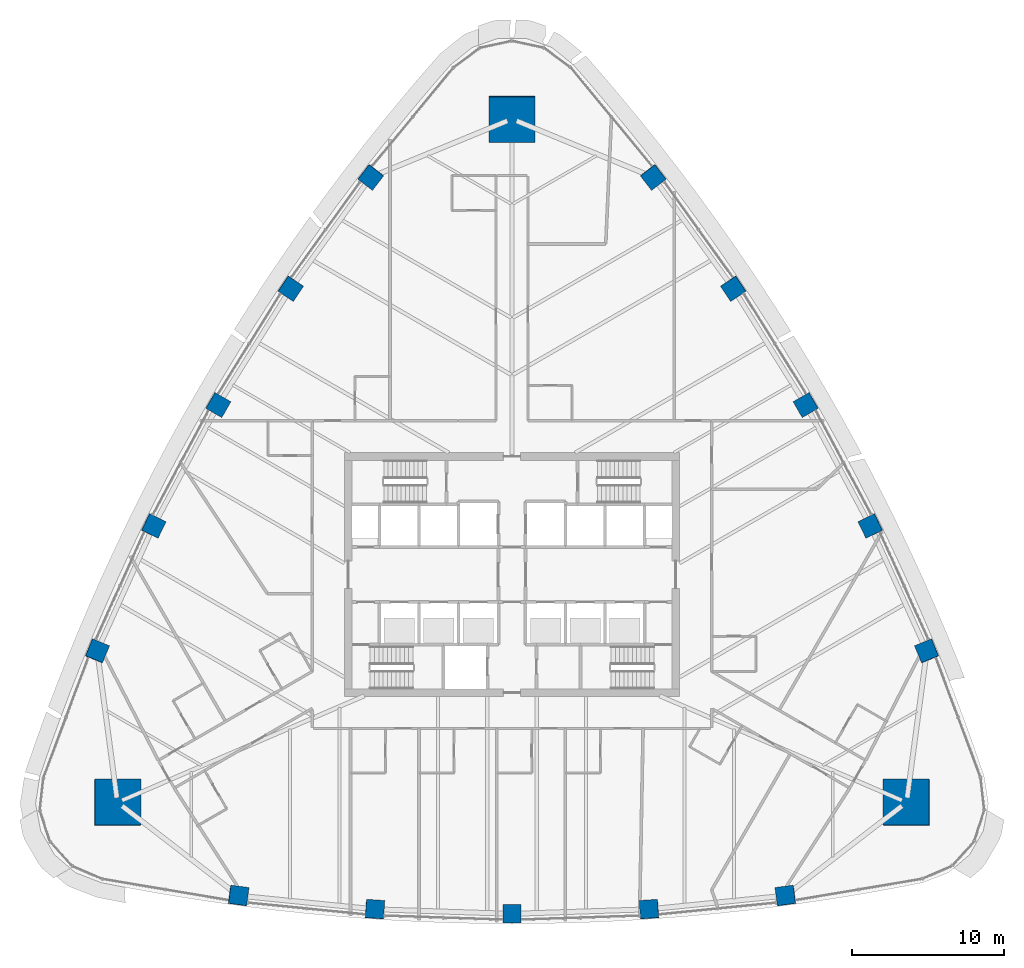
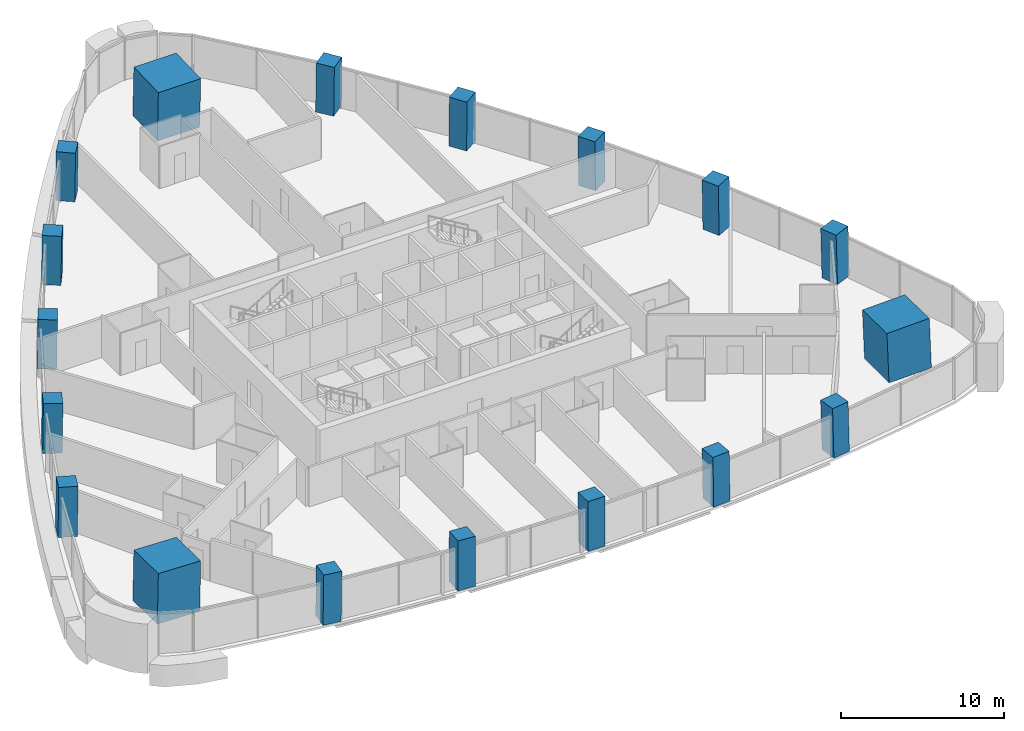
# One storey, part 1 of 17: 18 columns.
"""IFC4 building model written with IfcOpenShell, lengths in metres."""

from ifc_helpers import new_model, si_unit, direction, frame, origin, origin_2d, place, context, subcontext, project, spatial, rectangle, extrude, material, material_profile, profile_set, type_object, element, save


model = new_model("IFC4")

# Units and contexts
model_context = context("Model", 3, precision=1e-05, world=origin(), true_north=direction((0.0, 1.0)))
body_context = subcontext(model_context, "Body", "Model", "MODEL_VIEW")
ifc_project = project(units=[si_unit("LENGTHUNIT", "METRE"), si_unit("AREAUNIT", "SQUARE_METRE"), si_unit("VOLUMEUNIT", "CUBIC_METRE"), si_unit("PLANEANGLEUNIT", "RADIAN"), si_unit("MASSUNIT", "GRAM", prefix="KILO")], contexts=[model_context])

# Site, building, storey
site_placement = place(None, origin())
site = spatial("IfcSite", under=ifc_project, at=site_placement, CompositionType="ELEMENT")
building_placement = place(site_placement, origin())
building = spatial("IfcBuilding", under=site, at=building_placement, Name="Sierra Prisma Convention Tower", CompositionType="ELEMENT")
storey_placement = place(building_placement, frame((0.0, 0.0, 92.39990234375)))
storey = spatial("IfcBuildingStorey", under=building, at=storey_placement, Name="L19", CompositionType="ELEMENT", Elevation=92.39990234375)

# Columns
ifc_material_1 = material(Name="Concrete C60/75", Category="concrete")
ifc_material_profile_1 = material_profile(ifc_material_1, rectangle(XDim=3.0, YDim=3.0, at=origin_2d()), Name="Mega column RC 3000 C60/75")
ifc_profile_set_1 = profile_set([ifc_material_profile_1], Name="Concrete C60/75")
column_type_1 = type_object("IfcColumnType", Name="Mega column RC 3000 C60/75", PredefinedType="COLUMN", material=ifc_profile_set_1)
for number, where, z_axis, x_axis, name in (
    (1, (25.885009765625, -14.944580078125, 0.0), (-0.030464101799, 0.017605877014, 0.99938079409), (0.999535861539, 0.000536596285, 0.030459375615), "Mega column SE L19"),
    (2, (0.0, 29.889404296875, 0.0), (0.0, -0.035211721647, 0.999379875052), (1.0, 0.0, 0.0), "Mega column N L19"),
    (3, (-25.885009765625, -14.944580078125, 0.0), (0.030464101799, 0.017605877014, 0.99938079409), (0.999535861539, -0.000536596285, -0.030459375615), "Mega column SW L19"),
):
    element("IfcColumn", number, at=place(storey_placement, frame(where, z_axis=z_axis, x_axis=x_axis)), inside=storey, type_object=column_type_1, Name=name, PredefinedType="COLUMN", context=body_context, shape_type="SweptSolid", body=[
        extrude(rectangle(XDim=3.0, YDim=3.0, at=origin_2d()), origin(), (0.0, 0.0, 1.0), 3.702392578125),
    ])
ifc_material_2 = material(Name="Concrete C60/75", Category="concrete")
ifc_material_profile_2 = material_profile(ifc_material_2, rectangle(XDim=1.199951171875, YDim=1.199951171875, at=origin_2d()), Name="Perimeter column RC 1200 C60/75")
ifc_profile_set_2 = profile_set([ifc_material_profile_2], Name="Concrete C60/75")
column_type_2 = type_object("IfcColumnType", Name="Perimeter column RC 1200 C60/75", PredefinedType="COLUMN", material=ifc_profile_set_2)
column_1_placement = place(storey_placement, frame((-17.9462890625, -21.06103515625, 0.0), z_axis=(0.019195542948, 0.011345819199, 0.999751370851), x_axis=(-0.990992704509, 0.132764775419, 0.017520674033)))
element("IfcColumn", 4, at=column_1_placement, inside=storey, type_object=column_type_2, Name="Perimeter column S-1 L19", PredefinedType="COLUMN", context=body_context, shape_type="SweptSolid", body=[
    extrude(rectangle(XDim=1.199951171875, YDim=1.199951171875, at=origin_2d()), origin(), (0.0, 0.0, 1.0), 3.701171875),
])
column_2_placement = place(storey_placement, frame((-8.992919921875, -21.956787109375, 0.0), z_axis=(0.009566025428, 0.012138956406, 0.999880561315), x_axis=(-0.997745739106, 0.066536385186, 0.008737822466)))
element("IfcColumn", 5, at=column_2_placement, inside=storey, type_object=column_type_2, Name="Perimeter column S-2 L19", PredefinedType="COLUMN", context=body_context, shape_type="SweptSolid", body=[
    extrude(rectangle(XDim=1.199951171875, YDim=1.199951171875, at=origin_2d()), origin(), (0.0, 0.0, 1.0), 3.70068359375),
])
column_3_placement = place(storey_placement, frame((0.0, -22.255615234375, 0.0), z_axis=(0.0, 0.012337408793, 0.999923891276), x_axis=(1.0, 0.0, 0.0)))
element("IfcColumn", 6, at=column_3_placement, inside=storey, type_object=column_type_2, Name="Perimeter column S-3 L19", PredefinedType="COLUMN", context=body_context, shape_type="SweptSolid", body=[
    extrude(rectangle(XDim=1.199951171875, YDim=1.199951171875, at=origin_2d()), origin(), (0.0, 0.0, 1.0), 3.700439453125),
])
column_4_placement = place(storey_placement, frame((8.992919921875, -21.956787109375, 0.0), z_axis=(-0.009566025428, 0.012138956406, 0.999880561315), x_axis=(0.997745739106, 0.066536385186, 0.008737822466)))
element("IfcColumn", 7, at=column_4_placement, inside=storey, type_object=column_type_2, Name="Perimeter column S-4 L19", PredefinedType="COLUMN", context=body_context, shape_type="SweptSolid", body=[
    extrude(rectangle(XDim=1.199951171875, YDim=1.199951171875, at=origin_2d()), origin(), (0.0, 0.0, 1.0), 3.70068359375),
])
for number, where, z_axis, x_axis, name in (
    (8, (17.9462890625, -21.06103515625, 0.0), (-0.019195542948, 0.011345819199, 0.999751370851), (0.990992704509, 0.132764775419, 0.017520674033), "Perimeter column S-5 L19"),
    (9, (27.21240234375, -5.011474609375, 0.0), (-0.019393432612, 0.011015997436, 0.999751240345), (-0.380717970692, 0.924524223098, -0.017572356073), "Perimeter column NE-1 L19"),
):
    element("IfcColumn", number, at=place(storey_placement, frame(where, z_axis=z_axis, x_axis=x_axis)), inside=storey, type_object=column_type_2, Name=name, PredefinedType="COLUMN", context=body_context, shape_type="SweptSolid", body=[
        extrude(rectangle(XDim=1.199951171875, YDim=1.199951171875, at=origin_2d()), origin(), (0.0, 0.0, 1.0), 3.701171875),
    ])
column_5_placement = place(storey_placement, frame((23.51171875, 3.190185546875, 0.0), z_axis=(-0.015305637388, 0.002243067548, 0.999880345898), x_axis=(-0.441317903512, 0.897307986586, -0.008768423407)))
element("IfcColumn", 10, at=column_5_placement, inside=storey, type_object=column_type_2, Name="Perimeter column NE-2 L19", PredefinedType="COLUMN", context=body_context, shape_type="SweptSolid", body=[
    extrude(rectangle(XDim=1.199951171875, YDim=1.199951171875, at=origin_2d()), origin(), (0.0, 0.0, 1.0), 3.70068359375),
])
column_6_placement = place(storey_placement, frame((19.27392578125, 11.1279296875, 0.0), z_axis=(-0.010688020009, -0.006201690622, 0.999923649716), x_axis=(-0.499971440741, 0.866041891424, 2.7221193e-05)))
element("IfcColumn", 11, at=column_6_placement, inside=storey, type_object=column_type_2, Name="Perimeter column NE-3 L19", PredefinedType="COLUMN", context=body_context, shape_type="SweptSolid", body=[
    extrude(rectangle(XDim=1.199951171875, YDim=1.199951171875, at=origin_2d()), origin(), (0.0, 0.0, 1.0), 3.700439453125),
])
column_7_placement = place(storey_placement, frame((14.5185546875, 18.7666015625, 0.0), z_axis=(-0.005673642186, -0.014382023216, 0.999880476453), x_axis=(-0.556412833057, 0.830859453665, 0.008793603672)))
element("IfcColumn", 12, at=column_7_placement, inside=storey, type_object=column_type_2, Name="Perimeter column NE-4 L19", PredefinedType="COLUMN", context=body_context, shape_type="SweptSolid", body=[
    extrude(rectangle(XDim=1.199951171875, YDim=1.199951171875, at=origin_2d()), origin(), (0.0, 0.0, 1.0), 3.70068359375),
])
for number, where, z_axis, x_axis, name in (
    (13, (9.26611328125, 26.072509765625, 0.0), (-0.000197892201, -0.02229585459, 0.999751396952), (-0.610385732105, 0.79191010258, 0.017539882388), "Perimeter column NE-5 L19"),
    (14, (-9.26611328125, 26.072509765625, 0.0), (0.000197892201, -0.02229585459, 0.999751396952), (0.610385732105, 0.79191010258, 0.017539882388), "Perimeter column NW-1 L19"),
):
    element("IfcColumn", number, at=place(storey_placement, frame(where, z_axis=z_axis, x_axis=x_axis)), inside=storey, type_object=column_type_2, Name=name, PredefinedType="COLUMN", context=body_context, shape_type="SweptSolid", body=[
        extrude(rectangle(XDim=1.199951171875, YDim=1.199951171875, at=origin_2d()), origin(), (0.0, 0.0, 1.0), 3.701171875),
    ])
column_8_placement = place(storey_placement, frame((-14.5185546875, 18.7666015625, 0.0), z_axis=(0.005673642186, -0.014382023216, 0.999880476453), x_axis=(0.556412833057, 0.830859453665, 0.008793603672)))
element("IfcColumn", 15, at=column_8_placement, inside=storey, type_object=column_type_2, Name="Perimeter column NW-2 L19", PredefinedType="COLUMN", context=body_context, shape_type="SweptSolid", body=[
    extrude(rectangle(XDim=1.199951171875, YDim=1.199951171875, at=origin_2d()), origin(), (0.0, 0.0, 1.0), 3.70068359375),
])
column_9_placement = place(storey_placement, frame((-19.27392578125, 11.1279296875, 0.0), z_axis=(0.010688020009, -0.006201690622, 0.999923649716), x_axis=(0.499971440741, 0.866041891424, 2.7221193e-05)))
element("IfcColumn", 16, at=column_9_placement, inside=storey, type_object=column_type_2, Name="Perimeter column NW-3 L19", PredefinedType="COLUMN", context=body_context, shape_type="SweptSolid", body=[
    extrude(rectangle(XDim=1.199951171875, YDim=1.199951171875, at=origin_2d()), origin(), (0.0, 0.0, 1.0), 3.700439453125),
])
column_10_placement = place(storey_placement, frame((-23.51171875, 3.190185546875, 0.0), z_axis=(0.015305637388, 0.002243067548, 0.999880345898), x_axis=(0.441317903512, 0.897307986586, -0.008768423407)))
element("IfcColumn", 17, at=column_10_placement, inside=storey, type_object=column_type_2, Name="Perimeter column NW-4 L19", PredefinedType="COLUMN", context=body_context, shape_type="SweptSolid", body=[
    extrude(rectangle(XDim=1.199951171875, YDim=1.199951171875, at=origin_2d()), origin(), (0.0, 0.0, 1.0), 3.70068359375),
])
column_11_placement = place(storey_placement, frame((-27.21240234375, -5.011474609375, 0.0), z_axis=(0.019393432612, 0.011015997436, 0.999751240345), x_axis=(0.380717970692, 0.924524223098, -0.017572356073)))
element("IfcColumn", 18, at=column_11_placement, inside=storey, type_object=column_type_2, Name="Perimeter column NW-5 L19", PredefinedType="COLUMN", context=body_context, shape_type="SweptSolid", body=[
    extrude(rectangle(XDim=1.199951171875, YDim=1.199951171875, at=origin_2d()), origin(), (0.0, 0.0, 1.0), 3.701171875),
])

save(model, "model.ifc")
